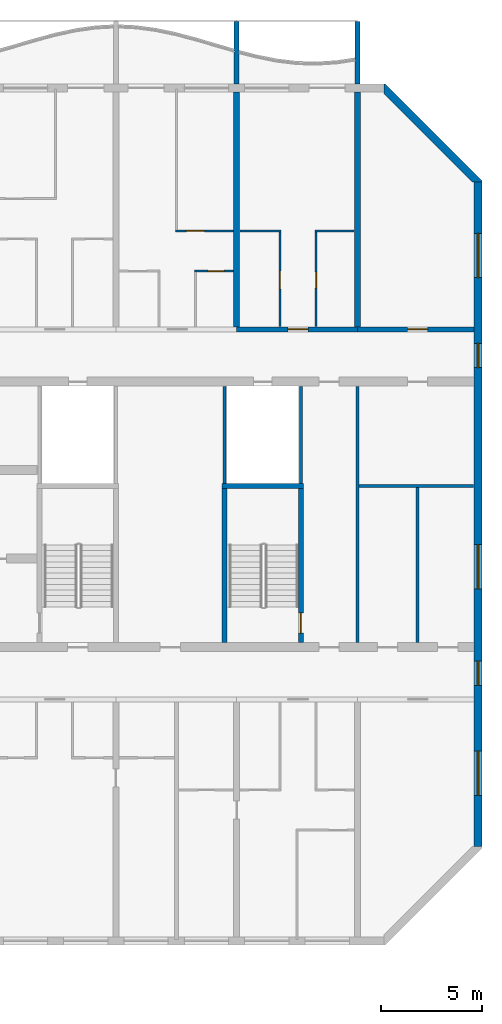
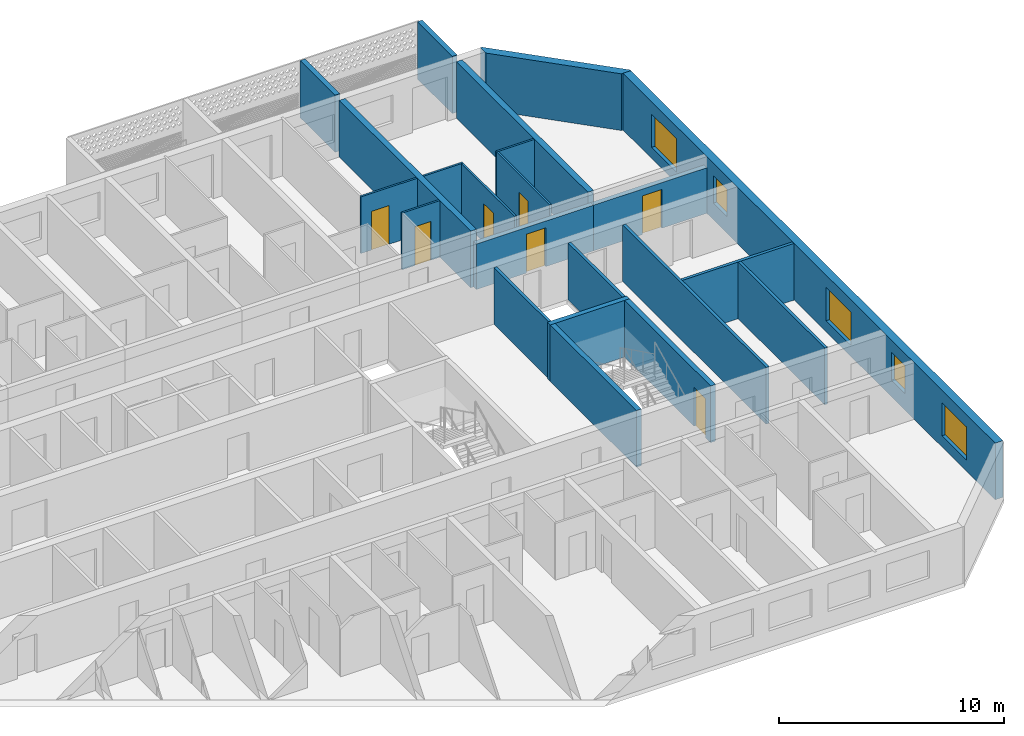
# One storey, part 12 of 31: 22 walls, 7 doors, 5 windows, 12 openings.
"""IFC4 building model written with IfcOpenShell, lengths in metres."""

from ifc_helpers import new_model, si_unit, direction, frame, frame_2d, origin, place, context, subcontext, project, spatial, polyline, rectangle, outline, extrude, source, transform, mapped, material, layer, layer_set, type_object, element, fill, save


model = new_model("IFC4")

# Units and contexts
model_context = context("Model", 3, precision=1e-05, world=origin(), true_north=direction((0.0, 1.0)))
body_context = subcontext(model_context, "Body", "Model", "MODEL_VIEW")
ifc_project = project(units=[si_unit("LENGTHUNIT", "METRE"), si_unit("AREAUNIT", "SQUARE_METRE"), si_unit("VOLUMEUNIT", "CUBIC_METRE"), si_unit("PLANEANGLEUNIT", "RADIAN"), si_unit("MASSUNIT", "GRAM", prefix="KILO")], contexts=[model_context])

# Site, building, storey
site_placement = place(None, origin())
site = spatial("IfcSite", under=ifc_project, at=site_placement, CompositionType="ELEMENT")
building_placement = place(site_placement, origin())
building = spatial("IfcBuilding", under=site, at=building_placement, Name="Poui Terraces", CompositionType="ELEMENT")
storey_placement = place(building_placement, frame((0.0, 0.0, 148.800048828125)))
storey = spatial("IfcBuildingStorey", under=building, at=storey_placement, Name="L41", CompositionType="ELEMENT", Elevation=148.800048828125)

# Wall
ifc_material_1 = material(Name="Fire-rated plasterboard wall")
ifc_layer_1 = layer(ifc_material_1, 0.14990234375)
ifc_layer_set_1 = layer_set([ifc_layer_1], Name="Fire-rated plasterboard wall")
wall_type_1 = type_object("IfcWallType", Name="CORRIDOR WALL 150", PredefinedType="PARTITIONING", material=ifc_layer_set_1)
wall_1_placement = place(storey_placement, frame((84.0, 14.8349609375, 0.0), z_axis=(0.0, 0.0, 1.0), x_axis=(0.0, 1.0, 0.0)))
element("IfcWall", 1, at=wall_1_placement, inside=storey, type_object=wall_type_1, Name="CORRIDOR WALL 150", PredefinedType="PARTITIONING", context=body_context, shape_type="SweptSolid", body=[
    extrude(rectangle(XDim=12.72998046875, YDim=0.14990234375, at=frame_2d((6.364990234375, 0.0))), origin(), (0.0, 0.0, 1.0), 3.070068359375),
])

# Wall, opening, door
ifc_material_2 = material(Name="Concrete 65 MPa", Category="concrete")
ifc_layer_2 = layer(ifc_material_2, 0.25)
ifc_layer_set_2 = layer_set([ifc_layer_2], Name="Concrete 65 MPa")
wall_type_2 = type_object("IfcWallType", Name="CORRIDOR WALL 250 65MPa", PredefinedType="SHEAR", material=ifc_layer_set_2)
wall_2_placement = place(storey_placement, frame((78.0, 30.39990234375, 0.0), z_axis=(0.0, 0.0, 1.0), x_axis=(1.0, 0.0, 0.0)))
wall_2 = element("IfcWall", 2, at=wall_2_placement, inside=storey, type_object=wall_type_2, Name="CORRIDOR WALL LINE E BAY 12", PredefinedType="SHEAR", context=body_context, shape_type="SweptSolid", body=[
    extrude(rectangle(XDim=6.0, YDim=0.25, at=frame_2d((3.0, 0.0))), origin(), (0.0, 0.0, 1.0), 2.469970703125),
])
opening_1_placement = place(wall_2_placement, frame((2.550048828125, 0.0, 0.0)))
opening_1 = element("IfcOpeningElement", 3, at=opening_1_placement, cuts=wall_2, Name="Opening FD30S", PredefinedType="OPENING", context=body_context, shape_type="SweptSolid", body=[
    extrude(rectangle(XDim=1.0, YDim=2.10009765625, at=frame_2d((0.5, 1.050048828125))), frame((0.0, 0.135009765625, 0.0), z_axis=(0.0, -1.0, 0.0), x_axis=(1.0, 0.0, 0.0)), (0.0, 0.0, 1.0), 0.27001953125),
])
ifc_material_3 = material(Name="Steel fire door", Category="steel")
door_type_1 = type_object("IfcDoorType", Name="FLAT ENTRANCE DOOR 1000 X 2100", OperationType="NOTDEFINED", PredefinedType="DOOR", material=ifc_material_3)
door_1_placement = place(opening_1_placement, origin())
door_1 = element("IfcDoor", 4, at=door_1_placement, inside=storey, type_object=door_type_1, Name="FLAT ENTRANCE DOOR 074", OperationType="SINGLE_SWING_RIGHT", OverallHeight=2.10009765625, OverallWidth=1.0, PredefinedType="DOOR", context=body_context, shape_type="SweptSolid", body=[
    extrude(rectangle(XDim=1.0, YDim=2.10009765625, at=frame_2d((0.5, 1.050048828125))), frame((0.0, 0.02490234375, 0.0), z_axis=(0.0, -1.0, 0.0), x_axis=(1.0, 0.0, 0.0)), (0.0, 0.0, 1.0), 0.050048828125),
])
fill(opening_1, door_1)

wall_3_placement = place(storey_placement, frame((84.0, 30.39990234375, 0.0), z_axis=(0.0, 0.0, 1.0), x_axis=(1.0, 0.0, 0.0)))
wall_3 = element("IfcWall", 5, at=wall_3_placement, inside=storey, type_object=wall_type_2, Name="CORRIDOR WALL LINE E BAY 13", PredefinedType="SHEAR", context=body_context, shape_type="SweptSolid", body=[
    extrude(rectangle(XDim=5.800048828125, YDim=0.25, at=frame_2d((2.89990234375, 0.0))), origin(), (0.0, 0.0, 1.0), 2.469970703125),
])
opening_2_placement = place(wall_3_placement, frame((2.5, 0.0, 0.0)))
opening_2 = element("IfcOpeningElement", 6, at=opening_2_placement, cuts=wall_3, Name="Opening D100", PredefinedType="OPENING", context=body_context, shape_type="SweptSolid", body=[
    extrude(rectangle(XDim=1.0, YDim=2.10009765625, at=frame_2d((0.5, 1.050048828125))), frame((0.0, 0.135009765625, 0.0), z_axis=(0.0, -1.0, 0.0), x_axis=(1.0, 0.0, 0.0)), (0.0, 0.0, 1.0), 0.27001953125),
])
ifc_material_4 = material(Name="Solid core timber door", Category="wood")
door_type_2 = type_object("IfcDoorType", Name="ACCESSIBLE INTERNAL DOOR 1000 X 2100", OperationType="NOTDEFINED", PredefinedType="DOOR", material=ifc_material_4)
door_2_placement = place(opening_2_placement, origin())
door_2 = element("IfcDoor", 7, at=door_2_placement, inside=storey, type_object=door_type_2, Name="ACCESSIBLE INTERNAL DOOR 076", OperationType="SINGLE_SWING_LEFT", OverallHeight=2.10009765625, OverallWidth=1.0, PredefinedType="DOOR", context=body_context, shape_type="SweptSolid", body=[
    extrude(rectangle(XDim=1.0, YDim=2.10009765625, at=frame_2d((0.5, 1.050048828125))), frame((0.0, 0.02490234375, 0.0), z_axis=(0.0, -1.0, 0.0), x_axis=(1.0, 0.0, 0.0)), (0.0, 0.0, 1.0), 0.050048828125),
])
fill(opening_2, door_2)

# Walls
ifc_layer_3 = layer(ifc_material_2, 0.300048828125)
ifc_layer_set_3 = layer_set([ifc_layer_3], Name="Concrete 65 MPa")
wall_type_3 = type_object("IfcWallType", Name="CROSS WALL 300 65MPa", PredefinedType="SHEAR", material=ifc_layer_set_3)
for number, where, z_axis, x_axis, name in (
    (8, (78.0, 30.52490234375, 0.0), (0.0, 0.0, 1.0), (0.0, 1.0, 0.0), "CROSS WALL LINE 14 NORTH"),
    (9, (84.0, 30.52490234375, 0.0), (0.0, 0.0, 1.0), (0.0, 1.0, 0.0), "CROSS WALL LINE 15 NORTH"),
):
    element("IfcWall", number, at=place(storey_placement, frame(where, z_axis=z_axis, x_axis=x_axis)), inside=storey, type_object=wall_type_3, Name=name, PredefinedType="SHEAR", context=body_context, shape_type="SweptSolid", body=[
        extrude(rectangle(XDim=11.675048828125, YDim=0.300048828125, at=frame_2d((5.83740234375, 0.0))), origin(), (0.0, 0.0, 1.0), 3.070068359375),
    ])

# Wall, openings, windows
ifc_layer_4 = layer(ifc_material_2, 0.39990234375)
ifc_layer_set_4 = layer_set([ifc_layer_4], Name="Concrete 65 MPa")
wall_type_4 = type_object("IfcWallType", Name="END WALL 400 65MPa", PredefinedType="SHEAR", material=ifc_layer_set_4)
wall_4_placement = place(storey_placement, frame((90.0, 4.682861328125, 0.0), z_axis=(0.0, 0.0, 1.0), x_axis=(0.0, 1.0, 0.0)))
wall_4 = element("IfcWall", 10, at=wall_4_placement, inside=storey, type_object=wall_type_4, Name="END WALL EAST", PredefinedType="SHEAR", context=body_context, shape_type="SweptSolid", body=[
    extrude(rectangle(XDim=33.034423828125, YDim=0.39990234375, at=frame_2d((16.51708984375, 0.0))), origin(), (0.0, 0.0, 1.0), 3.070068359375),
])
opening_3_placement = place(wall_4_placement, frame((23.817138671875, 0.0, 0.89990234375)))
opening_3 = element("IfcOpeningElement", 11, at=opening_3_placement, cuts=wall_4, Name="Opening W2", PredefinedType="OPENING", context=body_context, shape_type="SweptSolid", body=[
    extrude(rectangle(XDim=1.199951171875, YDim=1.5, at=frame_2d((0.60009765625, 0.75))), frame((0.0, 0.2099609375, 0.0), z_axis=(0.0, -1.0, 0.0), x_axis=(1.0, 0.0, 0.0)), (0.0, 0.0, 1.0), 0.419921875),
])
opening_4_placement = place(wall_4_placement, frame((8.01708984375, 0.0, 0.89990234375)))
opening_4 = element("IfcOpeningElement", 12, at=opening_4_placement, cuts=wall_4, Name="Opening W2", PredefinedType="OPENING", context=body_context, shape_type="SweptSolid", body=[
    extrude(rectangle(XDim=1.199951171875, YDim=1.5, at=frame_2d((0.60009765625, 0.75))), frame((0.0, 0.2099609375, 0.0), z_axis=(0.0, -1.0, 0.0), x_axis=(1.0, 0.0, 0.0)), (0.0, 0.0, 1.0), 0.419921875),
])
opening_5_placement = place(wall_4_placement, frame((28.29345703125, 0.0, 0.60009765625)))
opening_5 = element("IfcOpeningElement", 13, at=opening_5_placement, cuts=wall_4, Name="Opening W3", PredefinedType="OPENING", context=body_context, shape_type="SweptSolid", body=[
    extrude(rectangle(XDim=2.199951171875, YDim=1.800048828125, at=frame_2d((1.10009765625, 0.89990234375))), frame((0.0, 0.2099609375, 0.0), z_axis=(0.0, -1.0, 0.0), x_axis=(1.0, 0.0, 0.0)), (0.0, 0.0, 1.0), 0.419921875),
])
opening_6_placement = place(wall_4_placement, frame((2.541015625, 0.0, 0.60009765625)))
opening_6 = element("IfcOpeningElement", 14, at=opening_6_placement, cuts=wall_4, Name="Opening W3", PredefinedType="OPENING", context=body_context, shape_type="SweptSolid", body=[
    extrude(rectangle(XDim=2.199951171875, YDim=1.800048828125, at=frame_2d((1.10009765625, 0.89990234375))), frame((0.0, 0.2099609375, 0.0), z_axis=(0.0, -1.0, 0.0), x_axis=(1.0, 0.0, 0.0)), (0.0, 0.0, 1.0), 0.419921875),
])
opening_7_placement = place(wall_4_placement, frame((12.817138671875, 0.0, 0.60009765625)))
opening_7 = element("IfcOpeningElement", 15, at=opening_7_placement, cuts=wall_4, Name="Opening W3", PredefinedType="OPENING", context=body_context, shape_type="SweptSolid", body=[
    extrude(rectangle(XDim=2.199951171875, YDim=1.800048828125, at=frame_2d((1.10009765625, 0.89990234375))), frame((0.0, 0.2099609375, 0.0), z_axis=(0.0, -1.0, 0.0), x_axis=(1.0, 0.0, 0.0)), (0.0, 0.0, 1.0), 0.419921875),
])
ifc_material_5 = material(Name="Clear glass in aluminium frame", Category="aluminium")
window_type_1 = type_object("IfcWindowType", Name="WINDOW 1200X1500", PartitioningType="SINGLE_PANEL", PredefinedType="WINDOW", material=ifc_material_5)
window_1_placement = place(opening_3_placement, origin())
window_1 = element("IfcWindow", 16, at=window_1_placement, inside=storey, type_object=window_type_1, Name="W2 WINDOW", OverallHeight=1.5, OverallWidth=1.199951171875, PartitioningType="SINGLE_PANEL", PredefinedType="WINDOW", context=body_context, shape_type="SweptSolid", body=[
    extrude(rectangle(XDim=1.199951171875, YDim=1.5, at=frame_2d((0.60009765625, 0.75))), frame((0.0, 0.030029296875, 0.0), z_axis=(0.0, -1.0, 0.0), x_axis=(1.0, 0.0, 0.0)), (0.0, 0.0, 1.0), 0.06005859375),
])
fill(opening_3, window_1)
window_2_placement = place(opening_4_placement, origin())
window_2 = element("IfcWindow", 17, at=window_2_placement, inside=storey, type_object=window_type_1, Name="W2 WINDOW", OverallHeight=1.5, OverallWidth=1.199951171875, PartitioningType="SINGLE_PANEL", PredefinedType="WINDOW", context=body_context, shape_type="SweptSolid", body=[
    extrude(rectangle(XDim=1.199951171875, YDim=1.5, at=frame_2d((0.60009765625, 0.75))), frame((0.0, 0.030029296875, 0.0), z_axis=(0.0, -1.0, 0.0), x_axis=(1.0, 0.0, 0.0)), (0.0, 0.0, 1.0), 0.06005859375),
])
fill(opening_4, window_2)
window_type_2 = type_object("IfcWindowType", Name="WINDOW 2200X1800", PartitioningType="DOUBLE_PANEL_HORIZONTAL", PredefinedType="WINDOW", material=ifc_material_5)
window_3_placement = place(opening_5_placement, origin())
window_3 = element("IfcWindow", 18, at=window_3_placement, inside=storey, type_object=window_type_2, Name="W3 WINDOW", OverallHeight=1.800048828125, OverallWidth=2.199951171875, PartitioningType="DOUBLE_PANEL_HORIZONTAL", PredefinedType="WINDOW", context=body_context, shape_type="SweptSolid", body=[
    extrude(rectangle(XDim=2.199951171875, YDim=1.800048828125, at=frame_2d((1.10009765625, 0.89990234375))), frame((0.0, 0.030029296875, 0.0), z_axis=(0.0, -1.0, 0.0), x_axis=(1.0, 0.0, 0.0)), (0.0, 0.0, 1.0), 0.06005859375),
])
fill(opening_5, window_3)
window_4_placement = place(opening_6_placement, origin())
window_4 = element("IfcWindow", 19, at=window_4_placement, inside=storey, type_object=window_type_2, Name="W3 WINDOW", OverallHeight=1.800048828125, OverallWidth=2.199951171875, PartitioningType="DOUBLE_PANEL_HORIZONTAL", PredefinedType="WINDOW", context=body_context, shape_type="SweptSolid", body=[
    extrude(rectangle(XDim=2.199951171875, YDim=1.800048828125, at=frame_2d((1.10009765625, 0.89990234375))), frame((0.0, 0.030029296875, 0.0), z_axis=(0.0, -1.0, 0.0), x_axis=(1.0, 0.0, 0.0)), (0.0, 0.0, 1.0), 0.06005859375),
])
fill(opening_6, window_4)
window_5_placement = place(opening_7_placement, origin())
window_5 = element("IfcWindow", 20, at=window_5_placement, inside=storey, type_object=window_type_2, Name="W3 WINDOW", OverallHeight=1.800048828125, OverallWidth=2.199951171875, PartitioningType="DOUBLE_PANEL_HORIZONTAL", PredefinedType="WINDOW", context=body_context, shape_type="SweptSolid", body=[
    extrude(rectangle(XDim=2.199951171875, YDim=1.800048828125, at=frame_2d((1.10009765625, 0.89990234375))), frame((0.0, 0.030029296875, 0.0), z_axis=(0.0, -1.0, 0.0), x_axis=(1.0, 0.0, 0.0)), (0.0, 0.0, 1.0), 0.06005859375),
])
fill(opening_7, window_5)

# Wall, opening, door
ifc_material_6 = material(Name="Plasterboard partition")
ifc_layer_5 = layer(ifc_material_6, 0.10009765625)
ifc_layer_set_5 = layer_set([ifc_layer_5], Name="Plasterboard partition")
wall_type_5 = type_object("IfcWallType", Name="FLAT PARTITION 100", PredefinedType="PARTITIONING", material=ifc_layer_set_5)
wall_5_placement = place(storey_placement, frame((75.89990234375, 33.300048828125, 0.0), z_axis=(0.0, 0.0, 1.0), x_axis=(1.0, 0.0, 0.0)))
wall_5 = element("IfcWall", 21, at=wall_5_placement, inside=storey, type_object=wall_type_5, Name="FLAT PARTITION 100", PredefinedType="PARTITIONING", context=body_context, shape_type="SweptSolid", body=[
    extrude(rectangle(XDim=1.940185546875, YDim=0.10009765625, at=frame_2d((0.97021484375, 0.0))), origin(), (0.0, 0.0, 1.0), 3.070068359375),
])
opening_8_placement = place(wall_5_placement, frame((0.675048828125, 0.0, 0.0)))
opening_8 = element("IfcOpeningElement", 22, at=opening_8_placement, cuts=wall_5, Name="Opening D80", PredefinedType="OPENING", context=body_context, shape_type="SweptSolid", body=[
    extrude(rectangle(XDim=0.800048828125, YDim=2.10009765625, at=frame_2d((0.39990234375, 1.050048828125))), frame((0.0, 0.06005859375, 0.0), z_axis=(0.0, -1.0, 0.0), x_axis=(1.0, 0.0, 0.0)), (0.0, 0.0, 1.0), 0.1201171875),
])
door_type_3 = type_object("IfcDoorType", Name="BATHROOM, LAUNDRY AND STORE DOOR 800 X 2100", OperationType="NOTDEFINED", PredefinedType="DOOR", material=ifc_material_4)
door_3_placement = place(opening_8_placement, frame((0.800048828125, 0.0, 0.0), z_axis=(0.0, 0.0, 1.0), x_axis=(-1.0, 0.0, 0.0)))
door_3 = element("IfcDoor", 23, at=door_3_placement, inside=storey, type_object=door_type_3, Name="BATHROOM, LAUNDRY AND STORE DOOR 072", OperationType="SINGLE_SWING_RIGHT", OverallHeight=2.10009765625, OverallWidth=0.800048828125, PredefinedType="DOOR", context=body_context, shape_type="SweptSolid", body=[
    extrude(rectangle(XDim=0.800048828125, YDim=2.10009765625, at=frame_2d((0.39990234375, 1.050048828125))), frame((0.0, 0.02490234375, 0.0), z_axis=(0.0, -1.0, 0.0), x_axis=(1.0, 0.0, 0.0)), (0.0, 0.0, 1.0), 0.050048828125),
])
fill(opening_8, door_3)

wall_6_placement = place(storey_placement, frame((74.949951171875, 35.300048828125, 0.0), z_axis=(0.0, 0.0, 1.0), x_axis=(1.0, 0.0, 0.0)))
wall_6 = element("IfcWall", 24, at=wall_6_placement, inside=storey, type_object=wall_type_5, Name="FLAT PARTITION 100", PredefinedType="PARTITIONING", context=body_context, shape_type="SweptSolid", body=[
    extrude(rectangle(XDim=2.89013671875, YDim=0.10009765625, at=frame_2d((1.445068359375, 0.0))), origin(), (0.0, 0.0, 1.0), 3.070068359375),
])
opening_9_placement = place(wall_6_placement, frame((0.550048828125, 0.0, 0.0)))
opening_9 = element("IfcOpeningElement", 25, at=opening_9_placement, cuts=wall_6, Name="Opening D90", PredefinedType="OPENING", context=body_context, shape_type="SweptSolid", body=[
    extrude(rectangle(XDim=0.89990234375, YDim=2.10009765625, at=frame_2d((0.449951171875, 1.050048828125))), frame((0.0, 0.06005859375, 0.0), z_axis=(0.0, -1.0, 0.0), x_axis=(1.0, 0.0, 0.0)), (0.0, 0.0, 1.0), 0.1201171875),
])
door_type_4 = type_object("IfcDoorType", Name="INTERNAL DOOR 900 X 2100", OperationType="NOTDEFINED", PredefinedType="DOOR", material=ifc_material_4)
door_4_placement = place(opening_9_placement, frame((0.89990234375, 0.0, 0.0), z_axis=(0.0, 0.0, 1.0), x_axis=(-1.0, 0.0, 0.0)))
door_4 = element("IfcDoor", 26, at=door_4_placement, inside=storey, type_object=door_type_4, Name="INTERNAL DOOR 071", OperationType="SINGLE_SWING_LEFT", OverallHeight=2.10009765625, OverallWidth=0.89990234375, PredefinedType="DOOR", context=body_context, shape_type="SweptSolid", body=[
    extrude(rectangle(XDim=0.89990234375, YDim=2.10009765625, at=frame_2d((0.449951171875, 1.050048828125))), frame((0.0, 0.02490234375, 0.0), z_axis=(0.0, -1.0, 0.0), x_axis=(1.0, 0.0, 0.0)), (0.0, 0.0, 1.0), 0.050048828125),
])
fill(opening_9, door_4)

# Walls
wall_7_placement = place(storey_placement, frame((78.159912109375, 35.300048828125, 0.0), z_axis=(0.0, 0.0, 1.0), x_axis=(1.0, 0.0, 0.0)))
element("IfcWall", 27, at=wall_7_placement, inside=storey, type_object=wall_type_5, Name="FLAT PARTITION 100", PredefinedType="PARTITIONING", context=body_context, shape_type="SweptSolid", body=[
    extrude(rectangle(XDim=2.0400390625, YDim=0.10009765625, at=frame_2d((1.02001953125, 0.0))), origin(), (0.0, 0.0, 1.0), 3.070068359375),
])
wall_8_placement = place(storey_placement, frame((81.89990234375, 35.300048828125, 0.0), z_axis=(0.0, 0.0, 1.0), x_axis=(1.0, 0.0, 0.0)))
element("IfcWall", 28, at=wall_8_placement, inside=storey, type_object=wall_type_5, Name="FLAT PARTITION 100", PredefinedType="PARTITIONING", context=body_context, shape_type="SweptSolid", body=[
    extrude(rectangle(XDim=1.940185546875, YDim=0.10009765625, at=frame_2d((0.97021484375, 0.0))), origin(), (0.0, 0.0, 1.0), 3.070068359375),
])

# Wall, opening, door
wall_9_placement = place(storey_placement, frame((80.14990234375, 30.534912109375, 0.0), z_axis=(0.0, 0.0, 1.0), x_axis=(0.0, 1.0, 0.0)))
wall_9 = element("IfcWall", 29, at=wall_9_placement, inside=storey, type_object=wall_type_5, Name="FLAT PARTITION 100", PredefinedType="PARTITIONING", context=body_context, shape_type="SweptSolid", body=[
    extrude(rectangle(XDim=4.715087890625, YDim=0.10009765625, at=frame_2d((2.357421875, 0.0))), origin(), (0.0, 0.0, 1.0), 3.070068359375),
])
opening_10_placement = place(wall_9_placement, frame((1.864990234375, 0.0, 0.0)))
opening_10 = element("IfcOpeningElement", 30, at=opening_10_placement, cuts=wall_9, Name="Opening D90", PredefinedType="OPENING", context=body_context, shape_type="SweptSolid", body=[
    extrude(rectangle(XDim=0.89990234375, YDim=2.10009765625, at=frame_2d((0.449951171875, 1.050048828125))), frame((0.0, 0.06005859375, 0.0), z_axis=(0.0, -1.0, 0.0), x_axis=(1.0, 0.0, 0.0)), (0.0, 0.0, 1.0), 0.1201171875),
])
door_5_placement = place(opening_10_placement, origin())
door_5 = element("IfcDoor", 31, at=door_5_placement, inside=storey, type_object=door_type_4, Name="INTERNAL DOOR 073", OperationType="SINGLE_SWING_RIGHT", OverallHeight=2.10009765625, OverallWidth=0.89990234375, PredefinedType="DOOR", context=body_context, shape_type="SweptSolid", body=[
    extrude(rectangle(XDim=0.89990234375, YDim=2.10009765625, at=frame_2d((0.449951171875, 1.050048828125))), frame((0.0, 0.02490234375, 0.0), z_axis=(0.0, -1.0, 0.0), x_axis=(1.0, 0.0, 0.0)), (0.0, 0.0, 1.0), 0.050048828125),
])
fill(opening_10, door_5)

wall_10_placement = place(storey_placement, frame((81.949951171875, 30.534912109375, 0.0), z_axis=(0.0, 0.0, 1.0), x_axis=(0.0, 1.0, 0.0)))
wall_10 = element("IfcWall", 32, at=wall_10_placement, inside=storey, type_object=wall_type_5, Name="FLAT PARTITION 100", PredefinedType="PARTITIONING", context=body_context, shape_type="SweptSolid", body=[
    extrude(rectangle(XDim=4.715087890625, YDim=0.10009765625, at=frame_2d((2.357421875, 0.0))), origin(), (0.0, 0.0, 1.0), 3.070068359375),
])
opening_11_placement = place(wall_10_placement, frame((1.9150390625, 0.0, 0.0)))
opening_11 = element("IfcOpeningElement", 33, at=opening_11_placement, cuts=wall_10, Name="Opening D80", PredefinedType="OPENING", context=body_context, shape_type="SweptSolid", body=[
    extrude(rectangle(XDim=0.800048828125, YDim=2.10009765625, at=frame_2d((0.39990234375, 1.050048828125))), frame((0.0, 0.06005859375, 0.0), z_axis=(0.0, -1.0, 0.0), x_axis=(1.0, 0.0, 0.0)), (0.0, 0.0, 1.0), 0.1201171875),
])
door_6_placement = place(opening_11_placement, frame((0.800048828125, 0.0, 0.0), z_axis=(0.0, 0.0, 1.0), x_axis=(-1.0, 0.0, 0.0)))
door_6 = element("IfcDoor", 34, at=door_6_placement, inside=storey, type_object=door_type_3, Name="BATHROOM, LAUNDRY AND STORE DOOR 075", OperationType="SINGLE_SWING_RIGHT", OverallHeight=2.10009765625, OverallWidth=0.800048828125, PredefinedType="DOOR", context=body_context, shape_type="SweptSolid", body=[
    extrude(rectangle(XDim=0.800048828125, YDim=2.10009765625, at=frame_2d((0.39990234375, 1.050048828125))), frame((0.0, 0.02490234375, 0.0), z_axis=(0.0, -1.0, 0.0), x_axis=(1.0, 0.0, 0.0)), (0.0, 0.0, 1.0), 0.050048828125),
])
fill(opening_11, door_6)

# Walls
ifc_layer_6 = layer(ifc_material_6, 0.14990234375)
ifc_layer_set_6 = layer_set([ifc_layer_6], Name="Plasterboard partition")
wall_type_6 = type_object("IfcWallType", Name="PARTITION WALL 150", PredefinedType="PARTITIONING", material=ifc_layer_set_6)
wall_11_placement = place(storey_placement, frame((84.074951171875, 22.60009765625, 0.0), z_axis=(0.0, 0.0, 1.0), x_axis=(1.0, 0.0, 0.0)))
element("IfcWall", 35, at=wall_11_placement, inside=storey, type_object=wall_type_6, Name="PARTITION WALL 150", PredefinedType="PARTITIONING", context=body_context, shape_type="SweptSolid", body=[
    extrude(rectangle(XDim=5.715087890625, YDim=0.14990234375, at=frame_2d((2.857421875, 0.0))), origin(), (0.0, 0.0, 1.0), 3.070068359375),
])
wall_12_placement = place(storey_placement, frame((87.0, 14.8349609375, 0.0), z_axis=(0.0, 0.0, 1.0), x_axis=(0.0, 1.0, 0.0)))
element("IfcWall", 36, at=wall_12_placement, inside=storey, type_object=wall_type_6, Name="PARTITION WALL 150", PredefinedType="PARTITIONING", context=body_context, shape_type="SweptSolid", body=[
    extrude(rectangle(XDim=7.68994140625, YDim=0.14990234375, at=frame_2d((3.844970703125, 0.0))), origin(), (0.0, 0.0, 1.0), 3.070068359375),
])
ifc_material_7 = material(Name="Fire-rated plasterboard riser wall")
ifc_layer_7 = layer(ifc_material_7, 0.14990234375)
ifc_layer_set_7 = layer_set([ifc_layer_7], Name="Fire-rated plasterboard riser wall")
wall_type_7 = type_object("IfcWallType", Name="RISER WALL 150", PredefinedType="PARTITIONING", material=ifc_layer_set_7)
for number, where, z_axis, x_axis, name in (
    (37, (77.39990234375, 22.735107421875, 0.0), (0.0, 0.0, 1.0), (0.0, 1.0, 0.0), "RISER WALL 150"),
    (38, (81.199951171875, 22.735107421875, 0.0), (0.0, 0.0, 1.0), (0.0, 1.0, 0.0), "RISER WALL 150"),
):
    element("IfcWall", number, at=place(storey_placement, frame(where, z_axis=z_axis, x_axis=x_axis)), inside=storey, type_object=wall_type_7, Name=name, PredefinedType="PARTITIONING", context=body_context, shape_type="SweptSolid", body=[
        extrude(rectangle(XDim=4.829833984375, YDim=0.14990234375, at=frame_2d((2.4150390625, 0.0))), origin(), (0.0, 0.0, 1.0), 3.070068359375),
    ])
ifc_layer_8 = layer(ifc_material_2, 0.25)
ifc_layer_set_8 = layer_set([ifc_layer_8], Name="Concrete 65 MPa")
wall_type_8 = type_object("IfcWallType", Name="STAIR CORE WALL 250 65 MPA", PredefinedType="SOLIDWALL", material=ifc_layer_set_8)
wall_13_placement = place(storey_placement, frame((77.39990234375, 14.824951171875, 0.0), z_axis=(0.0, 0.0, 1.0), x_axis=(0.0, 1.0, 0.0)))
element("IfcWall", 39, at=wall_13_placement, inside=storey, type_object=wall_type_8, Name="STAIR CORE WALL", PredefinedType="SOLIDWALL", context=body_context, shape_type="SweptSolid", body=[
    extrude(rectangle(XDim=7.650146484375, YDim=0.25, at=frame_2d((3.8251953125, 0.0))), origin(), (0.0, 0.0, 1.0), 3.070068359375),
])

# Wall, opening, door
wall_14_placement = place(storey_placement, frame((81.199951171875, 14.824951171875, 0.0), z_axis=(0.0, 0.0, 1.0), x_axis=(0.0, 1.0, 0.0)))
wall_14 = element("IfcWall", 40, at=wall_14_placement, inside=storey, type_object=wall_type_8, Name="STAIR CORE WALL", PredefinedType="SOLIDWALL", context=body_context, shape_type="SweptSolid", body=[
    extrude(rectangle(XDim=7.650146484375, YDim=0.25, at=frame_2d((3.8251953125, 0.0))), origin(), (0.0, 0.0, 1.0), 3.070068359375),
])
opening_12_placement = place(wall_14_placement, frame((0.47509765625, 0.0, 0.0)))
opening_12 = element("IfcOpeningElement", 41, at=opening_12_placement, cuts=wall_14, Name="Opening FD60S", PredefinedType="OPENING", context=body_context, shape_type="SweptSolid", body=[
    extrude(rectangle(XDim=1.0, YDim=2.10009765625, at=frame_2d((0.5, 1.050048828125))), frame((0.0, 0.135009765625, 0.0), z_axis=(0.0, -1.0, 0.0), x_axis=(1.0, 0.0, 0.0)), (0.0, 0.0, 1.0), 0.27001953125),
])
door_type_5 = type_object("IfcDoorType", Name="STAIR DOOR 1000 X 2100", OperationType="NOTDEFINED", PredefinedType="DOOR", material=ifc_material_3)
door_7_placement = place(opening_12_placement, origin())
door_7 = element("IfcDoor", 42, at=door_7_placement, inside=storey, type_object=door_type_5, Name="STAIR DOOR 135", OperationType="SINGLE_SWING_LEFT", OverallHeight=2.10009765625, OverallWidth=1.0, PredefinedType="DOOR", context=body_context, shape_type="SweptSolid", body=[
    extrude(rectangle(XDim=1.0, YDim=2.10009765625, at=frame_2d((0.5, 1.050048828125))), frame((0.0, 0.02490234375, 0.0), z_axis=(0.0, -1.0, 0.0), x_axis=(1.0, 0.0, 0.0)), (0.0, 0.0, 1.0), 0.050048828125),
])
fill(opening_12, door_7)

# Walls
wall_15_placement = place(storey_placement, frame((77.27490234375, 22.60009765625, 0.0), z_axis=(0.0, 0.0, 1.0), x_axis=(1.0, 0.0, 0.0)))
element("IfcWall", 43, at=wall_15_placement, inside=storey, type_object=wall_type_8, Name="STAIR CORE WALL", PredefinedType="SOLIDWALL", context=body_context, shape_type="SweptSolid", body=[
    extrude(rectangle(XDim=4.050048828125, YDim=0.25, at=frame_2d((2.02490234375, 0.0))), origin(), (0.0, 0.0, 1.0), 3.070068359375),
])
ifc_material_8 = material(Name="Precast concrete 40 MPa", Category="concrete")
ifc_layer_9 = layer(ifc_material_8, 0.39990234375)
ifc_layer_set_9 = layer_set([ifc_layer_9], Name="Precast concrete 40 MPa")
wall_type_9 = type_object("IfcWallType", Name="TERRACOTTA CLAD CHAMFER WALL 400", PredefinedType="STANDARD", material=ifc_layer_set_9)
wall_16_placement = place(storey_placement, origin())
element("IfcWall", 44, at=wall_16_placement, inside=storey, type_object=wall_type_9, Name="CHAMFER WALL CH03", PredefinedType="STANDARD", context=body_context, shape_type="SweptSolid", body=[
    extrude(outline(polyline([(90.199951171875, 37.71728515625), (90.199951171875, 37.800048828125), (85.39990234375, 42.60009765625), (85.317138671875, 42.60009765625), (85.317138671875, 42.1171875), (89.71728515625, 37.71728515625), (90.199951171875, 37.71728515625)])), origin(), (0.0, 0.0, 1.0), 3.070068359375),
])
ifc_layer_10 = layer(ifc_material_8, 0.25)
ifc_layer_set_10 = layer_set([ifc_layer_10], Name="Precast concrete 40 MPa")
wall_type_10 = type_object("IfcWallType", Name="BALCONY FIN 250", PredefinedType="STANDARD", material=ifc_layer_set_10)
shared_shape = source(origin(), body_context, "Body", "SweptSolid", [
    extrude(outline(polyline([(0.0, 0.0), (0.25, 0.0), (0.25, 3.099853515625), (0.0, 3.099853515625), (0.0, 0.0)])), origin(), (0.0, 0.0, 1.0), 3.099853515625),
])
for number, where, name in (
    (45, (77.875, 42.60009765625, 0.0), "BALCONY FIN"),
    (46, (83.875, 42.60009765625, 0.0), "BALCONY FIN"),
):
    element("IfcWall", number, at=place(storey_placement, frame(where)), inside=storey, type_object=wall_type_10, Name=name, PredefinedType="STANDARD", context=body_context, shape_type="MappedRepresentation", body=[
        mapped(shared_shape, transform((0.0, 0.0, 0.0))),
    ])

save(model, "model.ifc")
